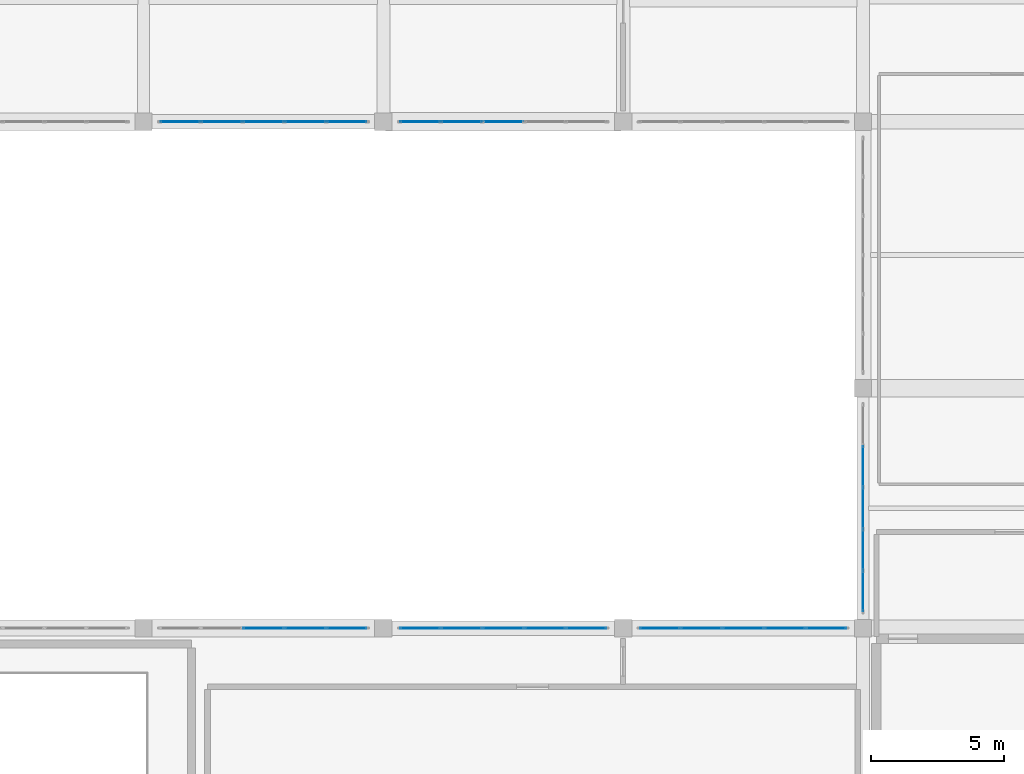
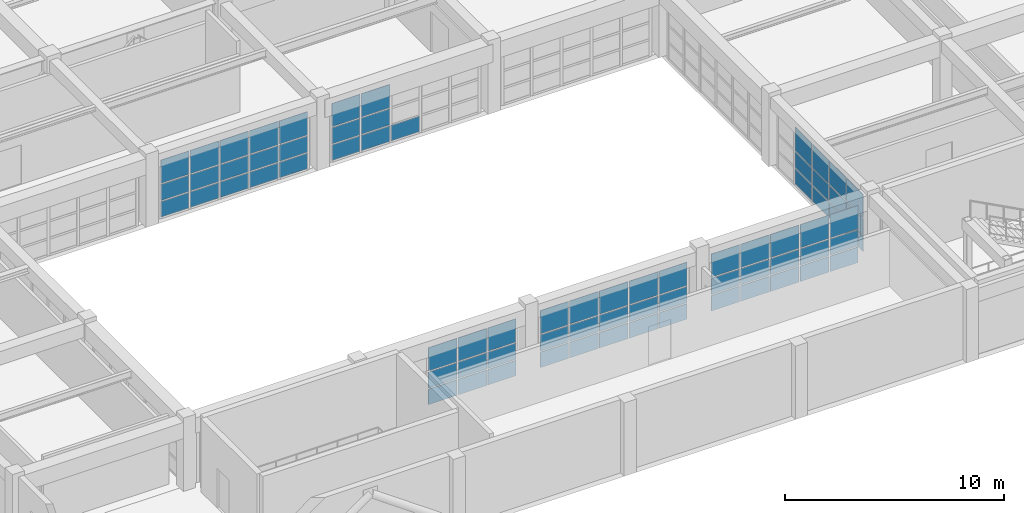
# One storey, part 90 of 130: 73 plates, 6 elements without a shape of their own.
"""IFC4 building model written with IfcOpenShell, lengths in metres."""

from ifc_helpers import new_model, si_unit, direction, frame, origin, origin_2d, place, context, subcontext, project, spatial, rectangle, extrude, material, layer, layer_set, type_object, element, aggregate, save


model = new_model("IFC4")

# Units and contexts
model_context = context("Model", 3, precision=1e-05, world=origin(), true_north=direction((0.0, 1.0)))
body_context = subcontext(model_context, "Body", "Model", "MODEL_VIEW")
ifc_project = project(units=[si_unit("LENGTHUNIT", "METRE"), si_unit("AREAUNIT", "SQUARE_METRE"), si_unit("VOLUMEUNIT", "CUBIC_METRE"), si_unit("PLANEANGLEUNIT", "RADIAN"), si_unit("MASSUNIT", "GRAM", prefix="KILO")], contexts=[model_context])

# Site, building, storey
site_placement = place(None, origin())
site = spatial("IfcSite", under=ifc_project, at=site_placement, CompositionType="ELEMENT")
building_placement = place(site_placement, origin())
building = spatial("IfcBuilding", under=site, at=building_placement, Name="Miravela Opera House", CompositionType="ELEMENT")
storey_placement = place(building_placement, frame((0.0, 0.0, 9.52001953125)))
storey = spatial("IfcBuildingStorey", under=building, at=storey_placement, Name="L02", CompositionType="ELEMENT", Elevation=9.52001953125)

# Curtain wall, plates
ifc_material_1 = material(Name="Anodised architectural bronze aluminium 6063-T6", Category="aluminium")
curtain_wall_type = type_object("IfcCurtainWallType", Name="ARC-CW-06", PredefinedType="NOTDEFINED", material=ifc_material_1)
curtain_wall_1_placement = place(storey_placement, origin())
curtain_wall_1 = element("IfcCurtainWall", 1, at=curtain_wall_1_placement, inside=storey, type_object=curtain_wall_type, Name="Courtyard Arcade Curtain Wall CW-L02-138", PredefinedType="NOTDEFINED")
ifc_material_2 = material(Name="Acoustic laminated low-E insulating glass", Category="glass")
ifc_layer = layer(ifc_material_2, 0.028076171875)
ifc_layer_set = layer_set([ifc_layer])
plate_type = type_object("IfcPlateType", Name="ARC-CWP-28", PredefinedType="CURTAIN_PANEL", material=ifc_layer_set)
plate_1_placement = place(storey_placement, frame((37.37890625, 28.0, 0.06005859375), z_axis=(0.0, 0.0, 1.0), x_axis=(1.0, 0.0, 0.0)))
plate_1 = element("IfcPlate", 2, at=plate_1_placement, type_object=plate_type, Name="CW-06 panel 1.1", PredefinedType="CURTAIN_PANEL", context=body_context, shape_type="SweptSolid", body=[
    extrude(rectangle(XDim=1.47802734375, YDim=0.028076171875, at=origin_2d()), origin(), (0.0, 0.0, 1.0), 0.860107421875),
])
plate_2_placement = place(storey_placement, frame((37.37890625, 28.0, 0.97998046875), z_axis=(0.0, 0.0, 1.0), x_axis=(1.0, 0.0, 0.0)))
plate_2 = element("IfcPlate", 3, at=plate_2_placement, type_object=plate_type, Name="CW-06 panel 1.2", PredefinedType="CURTAIN_PANEL", context=body_context, shape_type="SweptSolid", body=[
    extrude(rectangle(XDim=1.47802734375, YDim=0.028076171875, at=origin_2d()), origin(), (0.0, 0.0, 1.0), 0.898193359375),
])
plate_3_placement = place(storey_placement, frame((37.37890625, 28.0, 1.93798828125), z_axis=(0.0, 0.0, 1.0), x_axis=(1.0, 0.0, 0.0)))
plate_3 = element("IfcPlate", 4, at=plate_3_placement, type_object=plate_type, Name="CW-06 panel 1.3", PredefinedType="CURTAIN_PANEL", context=body_context, shape_type="SweptSolid", body=[
    extrude(rectangle(XDim=1.47802734375, YDim=0.028076171875, at=origin_2d()), origin(), (0.0, 0.0, 1.0), 1.291748046875),
])
plate_4_placement = place(storey_placement, frame((38.931884765625, 28.0, 0.06005859375), z_axis=(0.0, 0.0, 1.0), x_axis=(1.0, 0.0, 0.0)))
plate_4 = element("IfcPlate", 5, at=plate_4_placement, type_object=plate_type, Name="CW-06 panel 2.1", PredefinedType="CURTAIN_PANEL", context=body_context, shape_type="SweptSolid", body=[
    extrude(rectangle(XDim=1.508056640625, YDim=0.028076171875, at=origin_2d()), origin(), (0.0, 0.0, 1.0), 0.860107421875),
])
plate_5_placement = place(storey_placement, frame((38.931884765625, 28.0, 0.97998046875), z_axis=(0.0, 0.0, 1.0), x_axis=(1.0, 0.0, 0.0)))
plate_5 = element("IfcPlate", 6, at=plate_5_placement, type_object=plate_type, Name="CW-06 panel 2.2", PredefinedType="CURTAIN_PANEL", context=body_context, shape_type="SweptSolid", body=[
    extrude(rectangle(XDim=1.508056640625, YDim=0.028076171875, at=origin_2d()), origin(), (0.0, 0.0, 1.0), 0.898193359375),
])
plate_6_placement = place(storey_placement, frame((38.931884765625, 28.0, 1.93798828125), z_axis=(0.0, 0.0, 1.0), x_axis=(1.0, 0.0, 0.0)))
plate_6 = element("IfcPlate", 7, at=plate_6_placement, type_object=plate_type, Name="CW-06 panel 2.3", PredefinedType="CURTAIN_PANEL", context=body_context, shape_type="SweptSolid", body=[
    extrude(rectangle(XDim=1.508056640625, YDim=0.028076171875, at=origin_2d()), origin(), (0.0, 0.0, 1.0), 1.291748046875),
])
plate_7_placement = place(storey_placement, frame((40.5, 28.0, 0.06005859375), z_axis=(0.0, 0.0, 1.0), x_axis=(1.0, 0.0, 0.0)))
plate_7 = element("IfcPlate", 8, at=plate_7_placement, type_object=plate_type, Name="CW-06 panel 3.1", PredefinedType="CURTAIN_PANEL", context=body_context, shape_type="SweptSolid", body=[
    extrude(rectangle(XDim=1.508056640625, YDim=0.028076171875, at=origin_2d()), origin(), (0.0, 0.0, 1.0), 0.860107421875),
])
plate_8_placement = place(storey_placement, frame((40.5, 28.0, 0.97998046875), z_axis=(0.0, 0.0, 1.0), x_axis=(1.0, 0.0, 0.0)))
plate_8 = element("IfcPlate", 9, at=plate_8_placement, type_object=plate_type, Name="CW-06 panel 3.2", PredefinedType="CURTAIN_PANEL", context=body_context, shape_type="SweptSolid", body=[
    extrude(rectangle(XDim=1.508056640625, YDim=0.028076171875, at=origin_2d()), origin(), (0.0, 0.0, 1.0), 0.898193359375),
])
plate_9_placement = place(storey_placement, frame((40.5, 28.0, 1.93798828125), z_axis=(0.0, 0.0, 1.0), x_axis=(1.0, 0.0, 0.0)))
plate_9 = element("IfcPlate", 10, at=plate_9_placement, type_object=plate_type, Name="CW-06 panel 3.3", PredefinedType="CURTAIN_PANEL", context=body_context, shape_type="SweptSolid", body=[
    extrude(rectangle(XDim=1.508056640625, YDim=0.028076171875, at=origin_2d()), origin(), (0.0, 0.0, 1.0), 1.291748046875),
])
plate_10_placement = place(storey_placement, frame((42.068115234375, 28.0, 0.06005859375), z_axis=(0.0, 0.0, 1.0), x_axis=(1.0, 0.0, 0.0)))
plate_10 = element("IfcPlate", 11, at=plate_10_placement, type_object=plate_type, Name="CW-06 panel 4.1", PredefinedType="CURTAIN_PANEL", context=body_context, shape_type="SweptSolid", body=[
    extrude(rectangle(XDim=1.508056640625, YDim=0.028076171875, at=origin_2d()), origin(), (0.0, 0.0, 1.0), 0.860107421875),
])
plate_11_placement = place(storey_placement, frame((42.068115234375, 28.0, 0.97998046875), z_axis=(0.0, 0.0, 1.0), x_axis=(1.0, 0.0, 0.0)))
plate_11 = element("IfcPlate", 12, at=plate_11_placement, type_object=plate_type, Name="CW-06 panel 4.2", PredefinedType="CURTAIN_PANEL", context=body_context, shape_type="SweptSolid", body=[
    extrude(rectangle(XDim=1.508056640625, YDim=0.028076171875, at=origin_2d()), origin(), (0.0, 0.0, 1.0), 0.898193359375),
])
plate_12_placement = place(storey_placement, frame((42.068115234375, 28.0, 1.93798828125), z_axis=(0.0, 0.0, 1.0), x_axis=(1.0, 0.0, 0.0)))
plate_12 = element("IfcPlate", 13, at=plate_12_placement, type_object=plate_type, Name="CW-06 panel 4.3", PredefinedType="CURTAIN_PANEL", context=body_context, shape_type="SweptSolid", body=[
    extrude(rectangle(XDim=1.508056640625, YDim=0.028076171875, at=origin_2d()), origin(), (0.0, 0.0, 1.0), 1.291748046875),
])
plate_13_placement = place(storey_placement, frame((43.62109375, 28.0, 0.06005859375), z_axis=(0.0, 0.0, 1.0), x_axis=(1.0, 0.0, 0.0)))
plate_13 = element("IfcPlate", 14, at=plate_13_placement, type_object=plate_type, Name="CW-06 panel 5.1", PredefinedType="CURTAIN_PANEL", context=body_context, shape_type="SweptSolid", body=[
    extrude(rectangle(XDim=1.47802734375, YDim=0.028076171875, at=origin_2d()), origin(), (0.0, 0.0, 1.0), 0.860107421875),
])
plate_14_placement = place(storey_placement, frame((43.62109375, 28.0, 0.97998046875), z_axis=(0.0, 0.0, 1.0), x_axis=(1.0, 0.0, 0.0)))
plate_14 = element("IfcPlate", 15, at=plate_14_placement, type_object=plate_type, Name="CW-06 panel 5.2", PredefinedType="CURTAIN_PANEL", context=body_context, shape_type="SweptSolid", body=[
    extrude(rectangle(XDim=1.47802734375, YDim=0.028076171875, at=origin_2d()), origin(), (0.0, 0.0, 1.0), 0.898193359375),
])
plate_15_placement = place(storey_placement, frame((43.62109375, 28.0, 1.93798828125), z_axis=(0.0, 0.0, 1.0), x_axis=(1.0, 0.0, 0.0)))
plate_15 = element("IfcPlate", 16, at=plate_15_placement, type_object=plate_type, Name="CW-06 panel 5.3", PredefinedType="CURTAIN_PANEL", context=body_context, shape_type="SweptSolid", body=[
    extrude(rectangle(XDim=1.47802734375, YDim=0.028076171875, at=origin_2d()), origin(), (0.0, 0.0, 1.0), 1.291748046875),
])
aggregate(curtain_wall_1, [plate_1, plate_2, plate_3, plate_4, plate_5, plate_6, plate_7, plate_8, plate_9, plate_10, plate_11, plate_12, plate_13, plate_14, plate_15])

curtain_wall_2_placement = place(storey_placement, origin())
curtain_wall_2 = element("IfcCurtainWall", 17, at=curtain_wall_2_placement, inside=storey, type_object=curtain_wall_type, Name="Courtyard Arcade Curtain Wall CW-L02-139", PredefinedType="NOTDEFINED")
plate_16_placement = place(storey_placement, frame((40.5, 9.0, 0.06005859375), z_axis=(0.0, 0.0, 1.0), x_axis=(1.0, 0.0, 0.0)))
plate_16 = element("IfcPlate", 18, at=plate_16_placement, type_object=plate_type, Name="CW-06 panel 3.1", PredefinedType="CURTAIN_PANEL", context=body_context, shape_type="SweptSolid", body=[
    extrude(rectangle(XDim=1.508056640625, YDim=0.028076171875, at=origin_2d()), origin(), (0.0, 0.0, 1.0), 0.860107421875),
])
plate_17_placement = place(storey_placement, frame((40.5, 9.0, 0.97998046875), z_axis=(0.0, 0.0, 1.0), x_axis=(1.0, 0.0, 0.0)))
plate_17 = element("IfcPlate", 19, at=plate_17_placement, type_object=plate_type, Name="CW-06 panel 3.2", PredefinedType="CURTAIN_PANEL", context=body_context, shape_type="SweptSolid", body=[
    extrude(rectangle(XDim=1.508056640625, YDim=0.028076171875, at=origin_2d()), origin(), (0.0, 0.0, 1.0), 0.898193359375),
])
plate_18_placement = place(storey_placement, frame((40.5, 9.0, 1.93798828125), z_axis=(0.0, 0.0, 1.0), x_axis=(1.0, 0.0, 0.0)))
plate_18 = element("IfcPlate", 20, at=plate_18_placement, type_object=plate_type, Name="CW-06 panel 3.3", PredefinedType="CURTAIN_PANEL", context=body_context, shape_type="SweptSolid", body=[
    extrude(rectangle(XDim=1.508056640625, YDim=0.028076171875, at=origin_2d()), origin(), (0.0, 0.0, 1.0), 1.291748046875),
])
plate_19_placement = place(storey_placement, frame((42.068115234375, 9.0, 0.06005859375), z_axis=(0.0, 0.0, 1.0), x_axis=(1.0, 0.0, 0.0)))
plate_19 = element("IfcPlate", 21, at=plate_19_placement, type_object=plate_type, Name="CW-06 panel 4.1", PredefinedType="CURTAIN_PANEL", context=body_context, shape_type="SweptSolid", body=[
    extrude(rectangle(XDim=1.508056640625, YDim=0.028076171875, at=origin_2d()), origin(), (0.0, 0.0, 1.0), 0.860107421875),
])
plate_20_placement = place(storey_placement, frame((42.068115234375, 9.0, 0.97998046875), z_axis=(0.0, 0.0, 1.0), x_axis=(1.0, 0.0, 0.0)))
plate_20 = element("IfcPlate", 22, at=plate_20_placement, type_object=plate_type, Name="CW-06 panel 4.2", PredefinedType="CURTAIN_PANEL", context=body_context, shape_type="SweptSolid", body=[
    extrude(rectangle(XDim=1.508056640625, YDim=0.028076171875, at=origin_2d()), origin(), (0.0, 0.0, 1.0), 0.898193359375),
])
plate_21_placement = place(storey_placement, frame((42.068115234375, 9.0, 1.93798828125), z_axis=(0.0, 0.0, 1.0), x_axis=(1.0, 0.0, 0.0)))
plate_21 = element("IfcPlate", 23, at=plate_21_placement, type_object=plate_type, Name="CW-06 panel 4.3", PredefinedType="CURTAIN_PANEL", context=body_context, shape_type="SweptSolid", body=[
    extrude(rectangle(XDim=1.508056640625, YDim=0.028076171875, at=origin_2d()), origin(), (0.0, 0.0, 1.0), 1.291748046875),
])
plate_22_placement = place(storey_placement, frame((43.62109375, 9.0, 0.06005859375), z_axis=(0.0, 0.0, 1.0), x_axis=(1.0, 0.0, 0.0)))
plate_22 = element("IfcPlate", 24, at=plate_22_placement, type_object=plate_type, Name="CW-06 panel 5.1", PredefinedType="CURTAIN_PANEL", context=body_context, shape_type="SweptSolid", body=[
    extrude(rectangle(XDim=1.47802734375, YDim=0.028076171875, at=origin_2d()), origin(), (0.0, 0.0, 1.0), 0.860107421875),
])
plate_23_placement = place(storey_placement, frame((43.62109375, 9.0, 0.97998046875), z_axis=(0.0, 0.0, 1.0), x_axis=(1.0, 0.0, 0.0)))
plate_23 = element("IfcPlate", 25, at=plate_23_placement, type_object=plate_type, Name="CW-06 panel 5.2", PredefinedType="CURTAIN_PANEL", context=body_context, shape_type="SweptSolid", body=[
    extrude(rectangle(XDim=1.47802734375, YDim=0.028076171875, at=origin_2d()), origin(), (0.0, 0.0, 1.0), 0.898193359375),
])
plate_24_placement = place(storey_placement, frame((43.62109375, 9.0, 1.93798828125), z_axis=(0.0, 0.0, 1.0), x_axis=(1.0, 0.0, 0.0)))
plate_24 = element("IfcPlate", 26, at=plate_24_placement, type_object=plate_type, Name="CW-06 panel 5.3", PredefinedType="CURTAIN_PANEL", context=body_context, shape_type="SweptSolid", body=[
    extrude(rectangle(XDim=1.47802734375, YDim=0.028076171875, at=origin_2d()), origin(), (0.0, 0.0, 1.0), 1.291748046875),
])
aggregate(curtain_wall_2, [plate_16, plate_17, plate_18, plate_19, plate_20, plate_21, plate_22, plate_23, plate_24])

curtain_wall_3_placement = place(storey_placement, origin())
curtain_wall_3 = element("IfcCurtainWall", 27, at=curtain_wall_3_placement, inside=storey, type_object=curtain_wall_type, Name="Courtyard Arcade Curtain Wall CW-L02-140", PredefinedType="NOTDEFINED")
plate_25_placement = place(storey_placement, frame((46.37890625, 28.0, 0.06005859375), z_axis=(0.0, 0.0, 1.0), x_axis=(1.0, 0.0, 0.0)))
plate_25 = element("IfcPlate", 28, at=plate_25_placement, type_object=plate_type, Name="CW-06 panel 1.1", PredefinedType="CURTAIN_PANEL", context=body_context, shape_type="SweptSolid", body=[
    extrude(rectangle(XDim=1.47802734375, YDim=0.028076171875, at=origin_2d()), origin(), (0.0, 0.0, 1.0), 0.860107421875),
])
plate_26_placement = place(storey_placement, frame((46.37890625, 28.0, 0.97998046875), z_axis=(0.0, 0.0, 1.0), x_axis=(1.0, 0.0, 0.0)))
plate_26 = element("IfcPlate", 29, at=plate_26_placement, type_object=plate_type, Name="CW-06 panel 1.2", PredefinedType="CURTAIN_PANEL", context=body_context, shape_type="SweptSolid", body=[
    extrude(rectangle(XDim=1.47802734375, YDim=0.028076171875, at=origin_2d()), origin(), (0.0, 0.0, 1.0), 0.898193359375),
])
plate_27_placement = place(storey_placement, frame((46.37890625, 28.0, 1.93798828125), z_axis=(0.0, 0.0, 1.0), x_axis=(1.0, 0.0, 0.0)))
plate_27 = element("IfcPlate", 30, at=plate_27_placement, type_object=plate_type, Name="CW-06 panel 1.3", PredefinedType="CURTAIN_PANEL", context=body_context, shape_type="SweptSolid", body=[
    extrude(rectangle(XDim=1.47802734375, YDim=0.028076171875, at=origin_2d()), origin(), (0.0, 0.0, 1.0), 1.291748046875),
])
plate_28_placement = place(storey_placement, frame((47.931884765625, 28.0, 0.06005859375), z_axis=(0.0, 0.0, 1.0), x_axis=(1.0, 0.0, 0.0)))
plate_28 = element("IfcPlate", 31, at=plate_28_placement, type_object=plate_type, Name="CW-06 panel 2.1", PredefinedType="CURTAIN_PANEL", context=body_context, shape_type="SweptSolid", body=[
    extrude(rectangle(XDim=1.508056640625, YDim=0.028076171875, at=origin_2d()), origin(), (0.0, 0.0, 1.0), 0.860107421875),
])
plate_29_placement = place(storey_placement, frame((47.931884765625, 28.0, 0.97998046875), z_axis=(0.0, 0.0, 1.0), x_axis=(1.0, 0.0, 0.0)))
plate_29 = element("IfcPlate", 32, at=plate_29_placement, type_object=plate_type, Name="CW-06 panel 2.2", PredefinedType="CURTAIN_PANEL", context=body_context, shape_type="SweptSolid", body=[
    extrude(rectangle(XDim=1.508056640625, YDim=0.028076171875, at=origin_2d()), origin(), (0.0, 0.0, 1.0), 0.898193359375),
])
plate_30_placement = place(storey_placement, frame((47.931884765625, 28.0, 1.93798828125), z_axis=(0.0, 0.0, 1.0), x_axis=(1.0, 0.0, 0.0)))
plate_30 = element("IfcPlate", 33, at=plate_30_placement, type_object=plate_type, Name="CW-06 panel 2.3", PredefinedType="CURTAIN_PANEL", context=body_context, shape_type="SweptSolid", body=[
    extrude(rectangle(XDim=1.508056640625, YDim=0.028076171875, at=origin_2d()), origin(), (0.0, 0.0, 1.0), 1.291748046875),
])
plate_31_placement = place(storey_placement, frame((49.5, 28.0, 0.06005859375), z_axis=(0.0, 0.0, 1.0), x_axis=(1.0, 0.0, 0.0)))
plate_31 = element("IfcPlate", 34, at=plate_31_placement, type_object=plate_type, Name="CW-06 panel 3.1", PredefinedType="CURTAIN_PANEL", context=body_context, shape_type="SweptSolid", body=[
    extrude(rectangle(XDim=1.508056640625, YDim=0.028076171875, at=origin_2d()), origin(), (0.0, 0.0, 1.0), 0.860107421875),
])
aggregate(curtain_wall_3, [plate_25, plate_26, plate_27, plate_28, plate_29, plate_30, plate_31])

curtain_wall_4_placement = place(storey_placement, origin())
curtain_wall_4 = element("IfcCurtainWall", 35, at=curtain_wall_4_placement, inside=storey, type_object=curtain_wall_type, Name="Courtyard Arcade Curtain Wall CW-L02-141", PredefinedType="NOTDEFINED")
plate_32_placement = place(storey_placement, frame((46.37890625, 9.0, 0.06005859375), z_axis=(0.0, 0.0, 1.0), x_axis=(1.0, 0.0, 0.0)))
plate_32 = element("IfcPlate", 36, at=plate_32_placement, type_object=plate_type, Name="CW-06 panel 1.1", PredefinedType="CURTAIN_PANEL", context=body_context, shape_type="SweptSolid", body=[
    extrude(rectangle(XDim=1.47802734375, YDim=0.028076171875, at=origin_2d()), origin(), (0.0, 0.0, 1.0), 0.860107421875),
])
plate_33_placement = place(storey_placement, frame((46.37890625, 9.0, 0.97998046875), z_axis=(0.0, 0.0, 1.0), x_axis=(1.0, 0.0, 0.0)))
plate_33 = element("IfcPlate", 37, at=plate_33_placement, type_object=plate_type, Name="CW-06 panel 1.2", PredefinedType="CURTAIN_PANEL", context=body_context, shape_type="SweptSolid", body=[
    extrude(rectangle(XDim=1.47802734375, YDim=0.028076171875, at=origin_2d()), origin(), (0.0, 0.0, 1.0), 0.898193359375),
])
plate_34_placement = place(storey_placement, frame((46.37890625, 9.0, 1.93798828125), z_axis=(0.0, 0.0, 1.0), x_axis=(1.0, 0.0, 0.0)))
plate_34 = element("IfcPlate", 38, at=plate_34_placement, type_object=plate_type, Name="CW-06 panel 1.3", PredefinedType="CURTAIN_PANEL", context=body_context, shape_type="SweptSolid", body=[
    extrude(rectangle(XDim=1.47802734375, YDim=0.028076171875, at=origin_2d()), origin(), (0.0, 0.0, 1.0), 1.291748046875),
])
plate_35_placement = place(storey_placement, frame((47.931884765625, 9.0, 0.06005859375), z_axis=(0.0, 0.0, 1.0), x_axis=(1.0, 0.0, 0.0)))
plate_35 = element("IfcPlate", 39, at=plate_35_placement, type_object=plate_type, Name="CW-06 panel 2.1", PredefinedType="CURTAIN_PANEL", context=body_context, shape_type="SweptSolid", body=[
    extrude(rectangle(XDim=1.508056640625, YDim=0.028076171875, at=origin_2d()), origin(), (0.0, 0.0, 1.0), 0.860107421875),
])
plate_36_placement = place(storey_placement, frame((47.931884765625, 9.0, 0.97998046875), z_axis=(0.0, 0.0, 1.0), x_axis=(1.0, 0.0, 0.0)))
plate_36 = element("IfcPlate", 40, at=plate_36_placement, type_object=plate_type, Name="CW-06 panel 2.2", PredefinedType="CURTAIN_PANEL", context=body_context, shape_type="SweptSolid", body=[
    extrude(rectangle(XDim=1.508056640625, YDim=0.028076171875, at=origin_2d()), origin(), (0.0, 0.0, 1.0), 0.898193359375),
])
plate_37_placement = place(storey_placement, frame((47.931884765625, 9.0, 1.93798828125), z_axis=(0.0, 0.0, 1.0), x_axis=(1.0, 0.0, 0.0)))
plate_37 = element("IfcPlate", 41, at=plate_37_placement, type_object=plate_type, Name="CW-06 panel 2.3", PredefinedType="CURTAIN_PANEL", context=body_context, shape_type="SweptSolid", body=[
    extrude(rectangle(XDim=1.508056640625, YDim=0.028076171875, at=origin_2d()), origin(), (0.0, 0.0, 1.0), 1.291748046875),
])
plate_38_placement = place(storey_placement, frame((49.5, 9.0, 0.06005859375), z_axis=(0.0, 0.0, 1.0), x_axis=(1.0, 0.0, 0.0)))
plate_38 = element("IfcPlate", 42, at=plate_38_placement, type_object=plate_type, Name="CW-06 panel 3.1", PredefinedType="CURTAIN_PANEL", context=body_context, shape_type="SweptSolid", body=[
    extrude(rectangle(XDim=1.508056640625, YDim=0.028076171875, at=origin_2d()), origin(), (0.0, 0.0, 1.0), 0.860107421875),
])
plate_39_placement = place(storey_placement, frame((49.5, 9.0, 0.97998046875), z_axis=(0.0, 0.0, 1.0), x_axis=(1.0, 0.0, 0.0)))
plate_39 = element("IfcPlate", 43, at=plate_39_placement, type_object=plate_type, Name="CW-06 panel 3.2", PredefinedType="CURTAIN_PANEL", context=body_context, shape_type="SweptSolid", body=[
    extrude(rectangle(XDim=1.508056640625, YDim=0.028076171875, at=origin_2d()), origin(), (0.0, 0.0, 1.0), 0.898193359375),
])
plate_40_placement = place(storey_placement, frame((49.5, 9.0, 1.93798828125), z_axis=(0.0, 0.0, 1.0), x_axis=(1.0, 0.0, 0.0)))
plate_40 = element("IfcPlate", 44, at=plate_40_placement, type_object=plate_type, Name="CW-06 panel 3.3", PredefinedType="CURTAIN_PANEL", context=body_context, shape_type="SweptSolid", body=[
    extrude(rectangle(XDim=1.508056640625, YDim=0.028076171875, at=origin_2d()), origin(), (0.0, 0.0, 1.0), 1.291748046875),
])
plate_41_placement = place(storey_placement, frame((51.068115234375, 9.0, 0.06005859375), z_axis=(0.0, 0.0, 1.0), x_axis=(1.0, 0.0, 0.0)))
plate_41 = element("IfcPlate", 45, at=plate_41_placement, type_object=plate_type, Name="CW-06 panel 4.1", PredefinedType="CURTAIN_PANEL", context=body_context, shape_type="SweptSolid", body=[
    extrude(rectangle(XDim=1.508056640625, YDim=0.028076171875, at=origin_2d()), origin(), (0.0, 0.0, 1.0), 0.860107421875),
])
plate_42_placement = place(storey_placement, frame((51.068115234375, 9.0, 0.97998046875), z_axis=(0.0, 0.0, 1.0), x_axis=(1.0, 0.0, 0.0)))
plate_42 = element("IfcPlate", 46, at=plate_42_placement, type_object=plate_type, Name="CW-06 panel 4.2", PredefinedType="CURTAIN_PANEL", context=body_context, shape_type="SweptSolid", body=[
    extrude(rectangle(XDim=1.508056640625, YDim=0.028076171875, at=origin_2d()), origin(), (0.0, 0.0, 1.0), 0.898193359375),
])
plate_43_placement = place(storey_placement, frame((51.068115234375, 9.0, 1.93798828125), z_axis=(0.0, 0.0, 1.0), x_axis=(1.0, 0.0, 0.0)))
plate_43 = element("IfcPlate", 47, at=plate_43_placement, type_object=plate_type, Name="CW-06 panel 4.3", PredefinedType="CURTAIN_PANEL", context=body_context, shape_type="SweptSolid", body=[
    extrude(rectangle(XDim=1.508056640625, YDim=0.028076171875, at=origin_2d()), origin(), (0.0, 0.0, 1.0), 1.291748046875),
])
plate_44_placement = place(storey_placement, frame((52.62109375, 9.0, 0.06005859375), z_axis=(0.0, 0.0, 1.0), x_axis=(1.0, 0.0, 0.0)))
plate_44 = element("IfcPlate", 48, at=plate_44_placement, type_object=plate_type, Name="CW-06 panel 5.1", PredefinedType="CURTAIN_PANEL", context=body_context, shape_type="SweptSolid", body=[
    extrude(rectangle(XDim=1.47802734375, YDim=0.028076171875, at=origin_2d()), origin(), (0.0, 0.0, 1.0), 0.860107421875),
])
plate_45_placement = place(storey_placement, frame((52.62109375, 9.0, 0.97998046875), z_axis=(0.0, 0.0, 1.0), x_axis=(1.0, 0.0, 0.0)))
plate_45 = element("IfcPlate", 49, at=plate_45_placement, type_object=plate_type, Name="CW-06 panel 5.2", PredefinedType="CURTAIN_PANEL", context=body_context, shape_type="SweptSolid", body=[
    extrude(rectangle(XDim=1.47802734375, YDim=0.028076171875, at=origin_2d()), origin(), (0.0, 0.0, 1.0), 0.898193359375),
])
plate_46_placement = place(storey_placement, frame((52.62109375, 9.0, 1.93798828125), z_axis=(0.0, 0.0, 1.0), x_axis=(1.0, 0.0, 0.0)))
plate_46 = element("IfcPlate", 50, at=plate_46_placement, type_object=plate_type, Name="CW-06 panel 5.3", PredefinedType="CURTAIN_PANEL", context=body_context, shape_type="SweptSolid", body=[
    extrude(rectangle(XDim=1.47802734375, YDim=0.028076171875, at=origin_2d()), origin(), (0.0, 0.0, 1.0), 1.291748046875),
])
aggregate(curtain_wall_4, [plate_32, plate_33, plate_34, plate_35, plate_36, plate_37, plate_38, plate_39, plate_40, plate_41, plate_42, plate_43, plate_44, plate_45, plate_46])

curtain_wall_5_placement = place(storey_placement, origin())
curtain_wall_5 = element("IfcCurtainWall", 51, at=curtain_wall_5_placement, inside=storey, type_object=curtain_wall_type, Name="Courtyard Arcade Curtain Wall CW-L02-143", PredefinedType="NOTDEFINED")
plate_47_placement = place(storey_placement, frame((55.37890625, 9.0, 0.06005859375), z_axis=(0.0, 0.0, 1.0), x_axis=(1.0, 0.0, 0.0)))
plate_47 = element("IfcPlate", 52, at=plate_47_placement, type_object=plate_type, Name="CW-06 panel 1.1", PredefinedType="CURTAIN_PANEL", context=body_context, shape_type="SweptSolid", body=[
    extrude(rectangle(XDim=1.47802734375, YDim=0.028076171875, at=origin_2d()), origin(), (0.0, 0.0, 1.0), 0.860107421875),
])
plate_48_placement = place(storey_placement, frame((55.37890625, 9.0, 0.97998046875), z_axis=(0.0, 0.0, 1.0), x_axis=(1.0, 0.0, 0.0)))
plate_48 = element("IfcPlate", 53, at=plate_48_placement, type_object=plate_type, Name="CW-06 panel 1.2", PredefinedType="CURTAIN_PANEL", context=body_context, shape_type="SweptSolid", body=[
    extrude(rectangle(XDim=1.47802734375, YDim=0.028076171875, at=origin_2d()), origin(), (0.0, 0.0, 1.0), 0.898193359375),
])
plate_49_placement = place(storey_placement, frame((55.37890625, 9.0, 1.93798828125), z_axis=(0.0, 0.0, 1.0), x_axis=(1.0, 0.0, 0.0)))
plate_49 = element("IfcPlate", 54, at=plate_49_placement, type_object=plate_type, Name="CW-06 panel 1.3", PredefinedType="CURTAIN_PANEL", context=body_context, shape_type="SweptSolid", body=[
    extrude(rectangle(XDim=1.47802734375, YDim=0.028076171875, at=origin_2d()), origin(), (0.0, 0.0, 1.0), 1.291748046875),
])
plate_50_placement = place(storey_placement, frame((56.931884765625, 9.0, 0.06005859375), z_axis=(0.0, 0.0, 1.0), x_axis=(1.0, 0.0, 0.0)))
plate_50 = element("IfcPlate", 55, at=plate_50_placement, type_object=plate_type, Name="CW-06 panel 2.1", PredefinedType="CURTAIN_PANEL", context=body_context, shape_type="SweptSolid", body=[
    extrude(rectangle(XDim=1.508056640625, YDim=0.028076171875, at=origin_2d()), origin(), (0.0, 0.0, 1.0), 0.860107421875),
])
plate_51_placement = place(storey_placement, frame((56.931884765625, 9.0, 0.97998046875), z_axis=(0.0, 0.0, 1.0), x_axis=(1.0, 0.0, 0.0)))
plate_51 = element("IfcPlate", 56, at=plate_51_placement, type_object=plate_type, Name="CW-06 panel 2.2", PredefinedType="CURTAIN_PANEL", context=body_context, shape_type="SweptSolid", body=[
    extrude(rectangle(XDim=1.508056640625, YDim=0.028076171875, at=origin_2d()), origin(), (0.0, 0.0, 1.0), 0.898193359375),
])
plate_52_placement = place(storey_placement, frame((56.931884765625, 9.0, 1.93798828125), z_axis=(0.0, 0.0, 1.0), x_axis=(1.0, 0.0, 0.0)))
plate_52 = element("IfcPlate", 57, at=plate_52_placement, type_object=plate_type, Name="CW-06 panel 2.3", PredefinedType="CURTAIN_PANEL", context=body_context, shape_type="SweptSolid", body=[
    extrude(rectangle(XDim=1.508056640625, YDim=0.028076171875, at=origin_2d()), origin(), (0.0, 0.0, 1.0), 1.291748046875),
])
plate_53_placement = place(storey_placement, frame((58.5, 9.0, 0.06005859375), z_axis=(0.0, 0.0, 1.0), x_axis=(1.0, 0.0, 0.0)))
plate_53 = element("IfcPlate", 58, at=plate_53_placement, type_object=plate_type, Name="CW-06 panel 3.1", PredefinedType="CURTAIN_PANEL", context=body_context, shape_type="SweptSolid", body=[
    extrude(rectangle(XDim=1.508056640625, YDim=0.028076171875, at=origin_2d()), origin(), (0.0, 0.0, 1.0), 0.860107421875),
])
plate_54_placement = place(storey_placement, frame((58.5, 9.0, 0.97998046875), z_axis=(0.0, 0.0, 1.0), x_axis=(1.0, 0.0, 0.0)))
plate_54 = element("IfcPlate", 59, at=plate_54_placement, type_object=plate_type, Name="CW-06 panel 3.2", PredefinedType="CURTAIN_PANEL", context=body_context, shape_type="SweptSolid", body=[
    extrude(rectangle(XDim=1.508056640625, YDim=0.028076171875, at=origin_2d()), origin(), (0.0, 0.0, 1.0), 0.898193359375),
])
plate_55_placement = place(storey_placement, frame((58.5, 9.0, 1.93798828125), z_axis=(0.0, 0.0, 1.0), x_axis=(1.0, 0.0, 0.0)))
plate_55 = element("IfcPlate", 60, at=plate_55_placement, type_object=plate_type, Name="CW-06 panel 3.3", PredefinedType="CURTAIN_PANEL", context=body_context, shape_type="SweptSolid", body=[
    extrude(rectangle(XDim=1.508056640625, YDim=0.028076171875, at=origin_2d()), origin(), (0.0, 0.0, 1.0), 1.291748046875),
])
plate_56_placement = place(storey_placement, frame((60.068115234375, 9.0, 0.06005859375), z_axis=(0.0, 0.0, 1.0), x_axis=(1.0, 0.0, 0.0)))
plate_56 = element("IfcPlate", 61, at=plate_56_placement, type_object=plate_type, Name="CW-06 panel 4.1", PredefinedType="CURTAIN_PANEL", context=body_context, shape_type="SweptSolid", body=[
    extrude(rectangle(XDim=1.508056640625, YDim=0.028076171875, at=origin_2d()), origin(), (0.0, 0.0, 1.0), 0.860107421875),
])
plate_57_placement = place(storey_placement, frame((60.068115234375, 9.0, 0.97998046875), z_axis=(0.0, 0.0, 1.0), x_axis=(1.0, 0.0, 0.0)))
plate_57 = element("IfcPlate", 62, at=plate_57_placement, type_object=plate_type, Name="CW-06 panel 4.2", PredefinedType="CURTAIN_PANEL", context=body_context, shape_type="SweptSolid", body=[
    extrude(rectangle(XDim=1.508056640625, YDim=0.028076171875, at=origin_2d()), origin(), (0.0, 0.0, 1.0), 0.898193359375),
])
plate_58_placement = place(storey_placement, frame((60.068115234375, 9.0, 1.93798828125), z_axis=(0.0, 0.0, 1.0), x_axis=(1.0, 0.0, 0.0)))
plate_58 = element("IfcPlate", 63, at=plate_58_placement, type_object=plate_type, Name="CW-06 panel 4.3", PredefinedType="CURTAIN_PANEL", context=body_context, shape_type="SweptSolid", body=[
    extrude(rectangle(XDim=1.508056640625, YDim=0.028076171875, at=origin_2d()), origin(), (0.0, 0.0, 1.0), 1.291748046875),
])
plate_59_placement = place(storey_placement, frame((61.62109375, 9.0, 0.06005859375), z_axis=(0.0, 0.0, 1.0), x_axis=(1.0, 0.0, 0.0)))
plate_59 = element("IfcPlate", 64, at=plate_59_placement, type_object=plate_type, Name="CW-06 panel 5.1", PredefinedType="CURTAIN_PANEL", context=body_context, shape_type="SweptSolid", body=[
    extrude(rectangle(XDim=1.47802734375, YDim=0.028076171875, at=origin_2d()), origin(), (0.0, 0.0, 1.0), 0.860107421875),
])
plate_60_placement = place(storey_placement, frame((61.62109375, 9.0, 0.97998046875), z_axis=(0.0, 0.0, 1.0), x_axis=(1.0, 0.0, 0.0)))
plate_60 = element("IfcPlate", 65, at=plate_60_placement, type_object=plate_type, Name="CW-06 panel 5.2", PredefinedType="CURTAIN_PANEL", context=body_context, shape_type="SweptSolid", body=[
    extrude(rectangle(XDim=1.47802734375, YDim=0.028076171875, at=origin_2d()), origin(), (0.0, 0.0, 1.0), 0.898193359375),
])
plate_61_placement = place(storey_placement, frame((61.62109375, 9.0, 1.93798828125), z_axis=(0.0, 0.0, 1.0), x_axis=(1.0, 0.0, 0.0)))
plate_61 = element("IfcPlate", 66, at=plate_61_placement, type_object=plate_type, Name="CW-06 panel 5.3", PredefinedType="CURTAIN_PANEL", context=body_context, shape_type="SweptSolid", body=[
    extrude(rectangle(XDim=1.47802734375, YDim=0.028076171875, at=origin_2d()), origin(), (0.0, 0.0, 1.0), 1.291748046875),
])
aggregate(curtain_wall_5, [plate_47, plate_48, plate_49, plate_50, plate_51, plate_52, plate_53, plate_54, plate_55, plate_56, plate_57, plate_58, plate_59, plate_60, plate_61])

curtain_wall_6_placement = place(storey_placement, origin())
curtain_wall_6 = element("IfcCurtainWall", 67, at=curtain_wall_6_placement, inside=storey, type_object=curtain_wall_type, Name="Courtyard Arcade Curtain Wall CW-L02-146", PredefinedType="NOTDEFINED")
plate_62_placement = place(storey_placement, frame((63.0, 10.37890625, 0.06005859375), z_axis=(0.0, 0.0, 1.0), x_axis=(0.0, 1.0, 0.0)))
plate_62 = element("IfcPlate", 68, at=plate_62_placement, type_object=plate_type, Name="CW-06 panel 1.1", PredefinedType="CURTAIN_PANEL", context=body_context, shape_type="SweptSolid", body=[
    extrude(rectangle(XDim=1.47802734375, YDim=0.028076171875, at=origin_2d()), origin(), (0.0, 0.0, 1.0), 0.860107421875),
])
plate_63_placement = place(storey_placement, frame((63.0, 10.37890625, 0.97998046875), z_axis=(0.0, 0.0, 1.0), x_axis=(0.0, 1.0, 0.0)))
plate_63 = element("IfcPlate", 69, at=plate_63_placement, type_object=plate_type, Name="CW-06 panel 1.2", PredefinedType="CURTAIN_PANEL", context=body_context, shape_type="SweptSolid", body=[
    extrude(rectangle(XDim=1.47802734375, YDim=0.028076171875, at=origin_2d()), origin(), (0.0, 0.0, 1.0), 0.898193359375),
])
plate_64_placement = place(storey_placement, frame((63.0, 10.37890625, 1.93798828125), z_axis=(0.0, 0.0, 1.0), x_axis=(0.0, 1.0, 0.0)))
plate_64 = element("IfcPlate", 70, at=plate_64_placement, type_object=plate_type, Name="CW-06 panel 1.3", PredefinedType="CURTAIN_PANEL", context=body_context, shape_type="SweptSolid", body=[
    extrude(rectangle(XDim=1.47802734375, YDim=0.028076171875, at=origin_2d()), origin(), (0.0, 0.0, 1.0), 1.291748046875),
])
plate_65_placement = place(storey_placement, frame((63.0, 11.931884765625, 0.06005859375), z_axis=(0.0, 0.0, 1.0), x_axis=(0.0, 1.0, 0.0)))
plate_65 = element("IfcPlate", 71, at=plate_65_placement, type_object=plate_type, Name="CW-06 panel 2.1", PredefinedType="CURTAIN_PANEL", context=body_context, shape_type="SweptSolid", body=[
    extrude(rectangle(XDim=1.508056640625, YDim=0.028076171875, at=origin_2d()), origin(), (0.0, 0.0, 1.0), 0.860107421875),
])
plate_66_placement = place(storey_placement, frame((63.0, 11.931884765625, 0.97998046875), z_axis=(0.0, 0.0, 1.0), x_axis=(0.0, 1.0, 0.0)))
plate_66 = element("IfcPlate", 72, at=plate_66_placement, type_object=plate_type, Name="CW-06 panel 2.2", PredefinedType="CURTAIN_PANEL", context=body_context, shape_type="SweptSolid", body=[
    extrude(rectangle(XDim=1.508056640625, YDim=0.028076171875, at=origin_2d()), origin(), (0.0, 0.0, 1.0), 0.898193359375),
])
plate_67_placement = place(storey_placement, frame((63.0, 11.931884765625, 1.93798828125), z_axis=(0.0, 0.0, 1.0), x_axis=(0.0, 1.0, 0.0)))
plate_67 = element("IfcPlate", 73, at=plate_67_placement, type_object=plate_type, Name="CW-06 panel 2.3", PredefinedType="CURTAIN_PANEL", context=body_context, shape_type="SweptSolid", body=[
    extrude(rectangle(XDim=1.508056640625, YDim=0.028076171875, at=origin_2d()), origin(), (0.0, 0.0, 1.0), 1.291748046875),
])
plate_68_placement = place(storey_placement, frame((63.0, 13.5, 0.06005859375), z_axis=(0.0, 0.0, 1.0), x_axis=(0.0, 1.0, 0.0)))
plate_68 = element("IfcPlate", 74, at=plate_68_placement, type_object=plate_type, Name="CW-06 panel 3.1", PredefinedType="CURTAIN_PANEL", context=body_context, shape_type="SweptSolid", body=[
    extrude(rectangle(XDim=1.508056640625, YDim=0.028076171875, at=origin_2d()), origin(), (0.0, 0.0, 1.0), 0.860107421875),
])
plate_69_placement = place(storey_placement, frame((63.0, 13.5, 0.97998046875), z_axis=(0.0, 0.0, 1.0), x_axis=(0.0, 1.0, 0.0)))
plate_69 = element("IfcPlate", 75, at=plate_69_placement, type_object=plate_type, Name="CW-06 panel 3.2", PredefinedType="CURTAIN_PANEL", context=body_context, shape_type="SweptSolid", body=[
    extrude(rectangle(XDim=1.508056640625, YDim=0.028076171875, at=origin_2d()), origin(), (0.0, 0.0, 1.0), 0.898193359375),
])
plate_70_placement = place(storey_placement, frame((63.0, 13.5, 1.93798828125), z_axis=(0.0, 0.0, 1.0), x_axis=(0.0, 1.0, 0.0)))
plate_70 = element("IfcPlate", 76, at=plate_70_placement, type_object=plate_type, Name="CW-06 panel 3.3", PredefinedType="CURTAIN_PANEL", context=body_context, shape_type="SweptSolid", body=[
    extrude(rectangle(XDim=1.508056640625, YDim=0.028076171875, at=origin_2d()), origin(), (0.0, 0.0, 1.0), 1.291748046875),
])
plate_71_placement = place(storey_placement, frame((63.0, 15.068115234375, 0.06005859375), z_axis=(0.0, 0.0, 1.0), x_axis=(0.0, 1.0, 0.0)))
plate_71 = element("IfcPlate", 77, at=plate_71_placement, type_object=plate_type, Name="CW-06 panel 4.1", PredefinedType="CURTAIN_PANEL", context=body_context, shape_type="SweptSolid", body=[
    extrude(rectangle(XDim=1.508056640625, YDim=0.028076171875, at=origin_2d()), origin(), (0.0, 0.0, 1.0), 0.860107421875),
])
plate_72_placement = place(storey_placement, frame((63.0, 15.068115234375, 0.97998046875), z_axis=(0.0, 0.0, 1.0), x_axis=(0.0, 1.0, 0.0)))
plate_72 = element("IfcPlate", 78, at=plate_72_placement, type_object=plate_type, Name="CW-06 panel 4.2", PredefinedType="CURTAIN_PANEL", context=body_context, shape_type="SweptSolid", body=[
    extrude(rectangle(XDim=1.508056640625, YDim=0.028076171875, at=origin_2d()), origin(), (0.0, 0.0, 1.0), 0.898193359375),
])
plate_73_placement = place(storey_placement, frame((63.0, 15.068115234375, 1.93798828125), z_axis=(0.0, 0.0, 1.0), x_axis=(0.0, 1.0, 0.0)))
plate_73 = element("IfcPlate", 79, at=plate_73_placement, type_object=plate_type, Name="CW-06 panel 4.3", PredefinedType="CURTAIN_PANEL", context=body_context, shape_type="SweptSolid", body=[
    extrude(rectangle(XDim=1.508056640625, YDim=0.028076171875, at=origin_2d()), origin(), (0.0, 0.0, 1.0), 1.291748046875),
])
aggregate(curtain_wall_6, [plate_62, plate_63, plate_64, plate_65, plate_66, plate_67, plate_68, plate_69, plate_70, plate_71, plate_72, plate_73])

save(model, "model.ifc")
